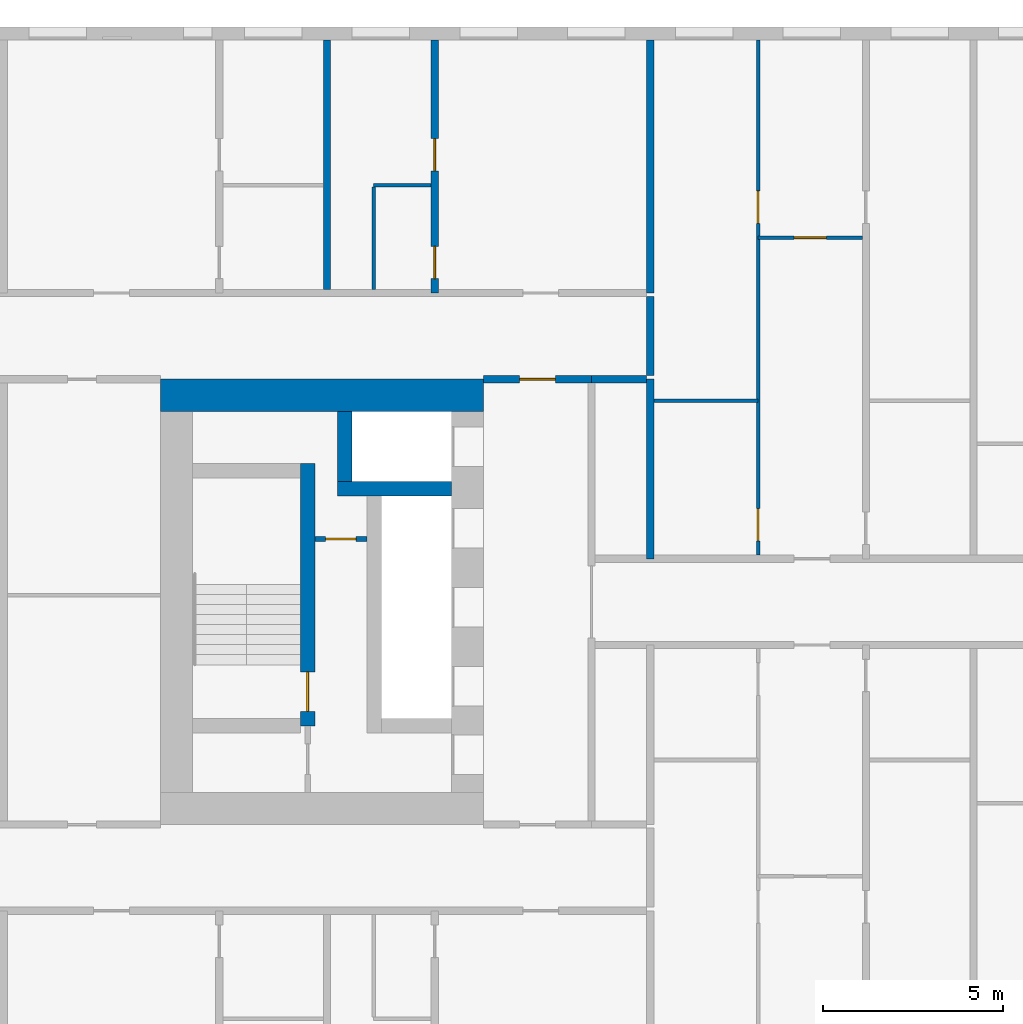
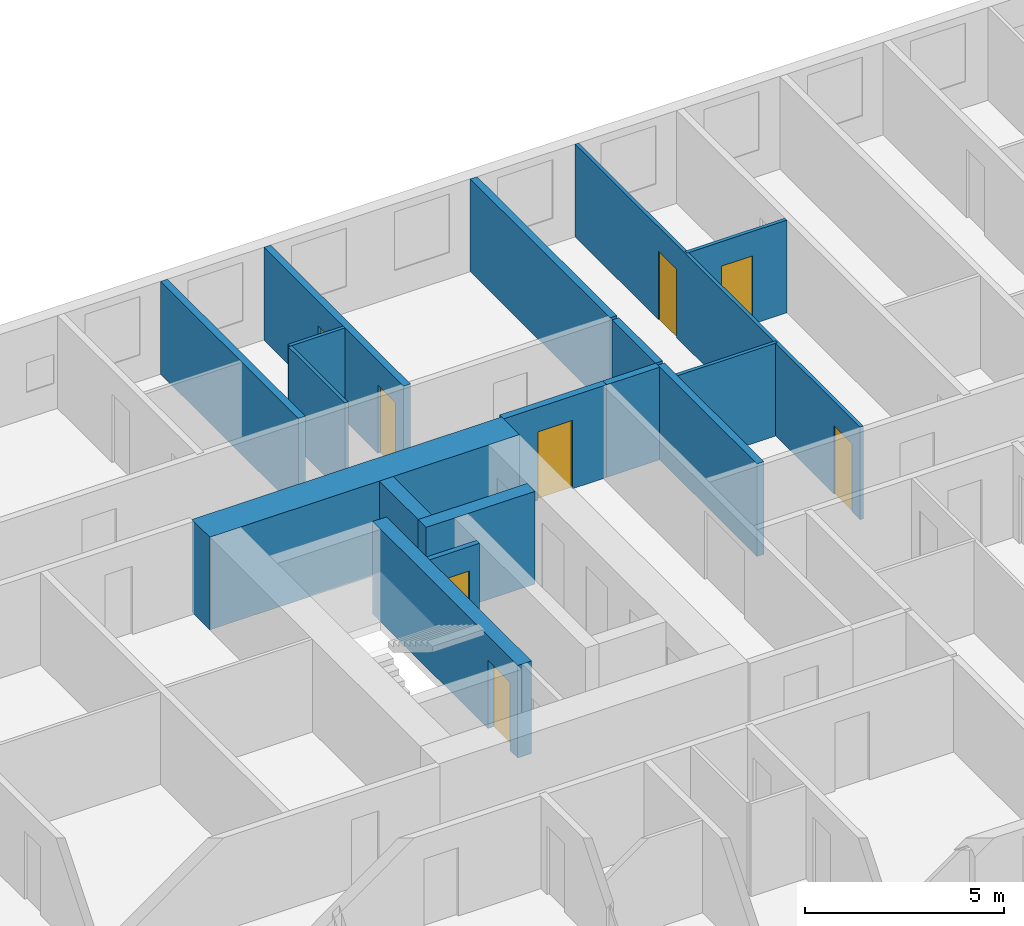
# One storey, part 5 of 17: 17 walls, 8 doors, 8 openings.
"""IFC4 building model written with IfcOpenShell, lengths in metres."""

from ifc_helpers import new_model, si_unit, direction, frame, frame_2d, origin, place, context, subcontext, project, spatial, rectangle, extrude, material, layer, layer_set, type_object, element, fill, save


model = new_model("IFC4")

# Units and contexts
model_context = context("Model", 3, precision=1e-05, world=origin(), true_north=direction((0.0, 1.0)))
body_context = subcontext(model_context, "Body", "Model", "MODEL_VIEW")
ifc_project = project(units=[si_unit("LENGTHUNIT", "METRE"), si_unit("AREAUNIT", "SQUARE_METRE"), si_unit("VOLUMEUNIT", "CUBIC_METRE"), si_unit("PLANEANGLEUNIT", "RADIAN"), si_unit("MASSUNIT", "GRAM", prefix="KILO")], contexts=[model_context])

# Site, building, storey
site_placement = place(None, origin())
site = spatial("IfcSite", under=ifc_project, at=site_placement, CompositionType="ELEMENT")
building_placement = place(site_placement, origin())
building = spatial("IfcBuilding", under=site, at=building_placement, Name="Tuart Gate Housing", CompositionType="ELEMENT")
storey_placement = place(building_placement, frame((0.0, 0.0, 25.699951171875)))
storey = spatial("IfcBuildingStorey", under=building, at=storey_placement, Name="L06", CompositionType="ELEMENT", Elevation=25.699951171875)

# Wall, opening, door
ifc_material_1 = material(Name="Plasterboard partition")
ifc_layer_1 = layer(ifc_material_1, 0.14990234375)
ifc_layer_set_1 = layer_set([ifc_layer_1], Name="Core partition 150")
wall_type_1 = type_object("IfcWallType", Name="Core partition 150", PredefinedType="PARTITIONING", material=ifc_layer_set_1)
wall_1_placement = place(storey_placement, frame((38.110107421875, 71.75, 0.0), z_axis=(0.0, 0.0, 1.0), x_axis=(-1.0, 0.0, 0.0)))
wall_1 = element("IfcWall", 1, at=wall_1_placement, inside=storey, type_object=wall_type_1, Name="Core partition AK.3", PredefinedType="PARTITIONING", context=body_context, shape_type="SweptSolid", body=[
    extrude(rectangle(XDim=1.4501953125, YDim=0.14990234375, at=frame_2d((0.72509765625, 0.0))), origin(), (0.0, 0.0, 1.0), 2.85009765625),
])
opening_1_placement = place(wall_1_placement, frame((0.300048828125, 0.0, 0.0)))
opening_1 = element("IfcOpeningElement", 2, at=opening_1_placement, cuts=wall_1, Name="Opening D369", PredefinedType="OPENING", context=body_context, shape_type="SweptSolid", body=[
    extrude(rectangle(XDim=0.85009765625, YDim=2.10009765625, at=frame_2d((0.425048828125, 1.050048828125))), frame((0.0, 0.0849609375, 0.0), z_axis=(0.0, -1.0, 0.0), x_axis=(1.0, 0.0, 0.0)), (0.0, 0.0, 1.0), 0.169921875),
])
ifc_material_2 = material(Name="Steel fire door", Category="steel")
door_type_1 = type_object("IfcDoorType", Name="Riser door 850 x 2100 RH", OperationType="SINGLE_SWING_RIGHT", PredefinedType="DOOR", material=ifc_material_2)
door_1_placement = place(opening_1_placement, frame((0.85009765625, 0.0, 0.0), z_axis=(0.0, 0.0, 1.0), x_axis=(-1.0, 0.0, 0.0)))
door_1 = element("IfcDoor", 3, at=door_1_placement, inside=storey, type_object=door_type_1, Name="Service room door AK.E1", OperationType="SINGLE_SWING_RIGHT", OverallHeight=2.10009765625, OverallWidth=0.85009765625, PredefinedType="DOOR", context=body_context, shape_type="SweptSolid", body=[
    extrude(rectangle(XDim=0.85009765625, YDim=2.10009765625, at=frame_2d((0.425048828125, 1.050048828125))), frame((0.0, 0.025146484375, 0.0), z_axis=(0.0, -1.0, 0.0), x_axis=(1.0, 0.0, 0.0)), (0.0, 0.0, 1.0), 0.050048828125),
])
fill(opening_1, door_1)

# Walls
ifc_material_3 = material(Name="Concrete C60", Category="concrete")
ifc_layer_2 = layer(ifc_material_3, 0.39990234375)
ifc_layer_set_2 = layer_set([ifc_layer_2], Name="Core wall 400 C60")
wall_type_2 = type_object("IfcWallType", Name="Core wall 400 C60", PredefinedType="SHEAR", material=ifc_layer_set_2)
wall_2_placement = place(storey_placement, frame((40.4599609375, 73.14990234375, 0.0), z_axis=(0.0, 0.0, 1.0), x_axis=(-1.0, 0.0, 0.0)))
element("IfcWall", 4, at=wall_2_placement, inside=storey, type_object=wall_type_2, Name="Core wall AK.2", PredefinedType="SHEAR", context=body_context, shape_type="SweptSolid", body=[
    extrude(rectangle(XDim=3.169921875, YDim=0.39990234375, at=frame_2d((1.5849609375, 0.0))), origin(), (0.0, 0.0, 1.0), 2.85009765625),
])
wall_3_placement = place(storey_placement, frame((37.489990234375, 75.300048828125, 0.0), z_axis=(0.0, 0.0, 1.0), x_axis=(0.0, -1.0, 0.0)))
element("IfcWall", 5, at=wall_3_placement, inside=storey, type_object=wall_type_2, Name="Core wall AK.7", PredefinedType="SHEAR", context=body_context, shape_type="SweptSolid", body=[
    extrude(rectangle(XDim=1.949951171875, YDim=0.39990234375, at=frame_2d((0.97509765625, 0.0))), origin(), (0.0, 0.0, 1.0), 2.85009765625),
])

# Wall, opening, door
wall_4_placement = place(storey_placement, frame((36.4599609375, 73.85009765625, 0.0), z_axis=(0.0, 0.0, 1.0), x_axis=(0.0, -1.0, 0.0)))
wall_4 = element("IfcWall", 6, at=wall_4_placement, inside=storey, type_object=wall_type_2, Name="Core wall AK.8", PredefinedType="SHEAR", context=body_context, shape_type="SweptSolid", body=[
    extrude(rectangle(XDim=7.300048828125, YDim=0.39990234375, at=frame_2d((3.64990234375, 0.0))), origin(), (0.0, 0.0, 1.0), 2.85009765625),
])
opening_2_placement = place(wall_4_placement, frame((5.800048828125, 0.0, 0.0)))
opening_2 = element("IfcOpeningElement", 7, at=opening_2_placement, cuts=wall_4, Name="Opening D372", PredefinedType="OPENING", context=body_context, shape_type="SweptSolid", body=[
    extrude(rectangle(XDim=1.10009765625, YDim=2.10009765625, at=frame_2d((0.550048828125, 1.050048828125))), frame((0.0, 0.2099609375, 0.0), z_axis=(0.0, -1.0, 0.0), x_axis=(1.0, 0.0, 0.0)), (0.0, 0.0, 1.0), 0.419921875),
])
ifc_material_4 = material(Name="Steel fire door", Category="steel")
door_type_2 = type_object("IfcDoorType", Name="Stair door 1100 x 2100", OperationType="SINGLE_SWING_LEFT", PredefinedType="DOOR", material=ifc_material_4)
door_2_placement = place(opening_2_placement, frame((1.10009765625, 0.0, 0.0), z_axis=(0.0, 0.0, 1.0), x_axis=(-1.0, 0.0, 0.0)))
door_2 = element("IfcDoor", 8, at=door_2_placement, inside=storey, type_object=door_type_2, Name="Stair door AK.SD", OperationType="SINGLE_SWING_LEFT", OverallHeight=2.10009765625, OverallWidth=1.10009765625, PredefinedType="DOOR", context=body_context, shape_type="SweptSolid", body=[
    extrude(rectangle(XDim=1.10009765625, YDim=2.10009765625, at=frame_2d((0.550048828125, 1.050048828125))), frame((0.0, 0.025146484375, 0.0), z_axis=(0.0, -1.0, 0.0), x_axis=(1.0, 0.0, 0.0)), (0.0, 0.0, 1.0), 0.050048828125),
])
fill(opening_2, door_2)

# Walls
ifc_material_5 = material(Name="Concrete C60", Category="concrete")
ifc_layer_3 = layer(ifc_material_5, 0.89990234375)
ifc_layer_set_3 = layer_set([ifc_layer_3], Name="Core wall 900 C60")
wall_type_3 = type_object("IfcWallType", Name="Core wall 900 C60", PredefinedType="SHEAR", material=ifc_layer_set_3)
wall_5_placement = place(storey_placement, frame((41.360107421875, 75.75, 0.0), z_axis=(0.0, 0.0, 1.0), x_axis=(-1.0, 0.0, 0.0)))
element("IfcWall", 9, at=wall_5_placement, inside=storey, type_object=wall_type_3, Name="Core wall AK south", PredefinedType="SHEAR", context=body_context, shape_type="SweptSolid", body=[
    extrude(rectangle(XDim=9.0, YDim=0.89990234375, at=frame_2d((4.5, 0.0))), origin(), (0.0, 0.0, 1.0), 2.85009765625),
])
ifc_material_6 = material(Name="Concrete masonry 15 MPa", Category="masonry")
ifc_layer_4 = layer(ifc_material_6, 0.199951171875)
ifc_layer_set_4 = layer_set([ifc_layer_4], Name="Corridor wall masonry 200")
wall_type_4 = type_object("IfcWallType", Name="Corridor wall masonry 200", PredefinedType="PARTITIONING", material=ifc_layer_set_4)
wall_6_placement = place(storey_placement, frame((44.360107421875, 76.199951171875, 0.0), z_axis=(0.0, 0.0, 1.0), x_axis=(1.0, 0.0, 0.0)))
element("IfcWall", 10, at=wall_6_placement, inside=storey, type_object=wall_type_4, Name="Corridor wall masonry 200", PredefinedType="PARTITIONING", context=body_context, shape_type="SweptSolid", body=[
    extrude(rectangle(XDim=1.539794921875, YDim=0.199951171875, at=frame_2d((0.77001953125, 0.0))), origin(), (0.0, 0.0, 1.0), 2.85009765625),
])
wall_7_placement = place(storey_placement, frame((46.0, 76.300048828125, 0.0), z_axis=(0.0, 0.0, 1.0), x_axis=(0.0, 1.0, 0.0)))
element("IfcWall", 11, at=wall_7_placement, inside=storey, type_object=wall_type_4, Name="Corridor wall masonry 200", PredefinedType="PARTITIONING", context=body_context, shape_type="SweptSolid", body=[
    extrude(rectangle(XDim=2.199951171875, YDim=0.199951171875, at=frame_2d((1.10009765625, 0.0))), origin(), (0.0, 0.0, 1.0), 2.85009765625),
])

# Wall, opening, door
ifc_material_7 = material(Name="Concrete masonry 15 MPa", Category="masonry")
ifc_layer_5 = layer(ifc_material_7, 0.199951171875)
ifc_layer_set_5 = layer_set([ifc_layer_5], Name="Enclosure wall masonry 200")
wall_type_5 = type_object("IfcWallType", Name="Enclosure wall masonry 200", PredefinedType="PARTITIONING", material=ifc_layer_set_5)
wall_8_placement = place(storey_placement, frame((41.360107421875, 76.199951171875, 0.0), z_axis=(0.0, 0.0, 1.0), x_axis=(1.0, 0.0, 0.0)))
wall_8 = element("IfcWall", 12, at=wall_8_placement, inside=storey, type_object=wall_type_5, Name="Enclosure wall masonry 200", PredefinedType="PARTITIONING", context=body_context, shape_type="SweptSolid", body=[
    extrude(rectangle(XDim=3.0, YDim=0.199951171875, at=frame_2d((1.5, 0.0))), origin(), (0.0, 0.0, 1.0), 2.85009765625),
])
opening_3_placement = place(wall_8_placement, frame((1.0, 0.0, 0.0)))
opening_3 = element("IfcOpeningElement", 13, at=opening_3_placement, cuts=wall_8, Name="Opening D366", PredefinedType="OPENING", context=body_context, shape_type="SweptSolid", body=[
    extrude(rectangle(XDim=1.0, YDim=2.10009765625, at=frame_2d((0.5, 1.050048828125))), frame((0.0, 0.10986328125, 0.0), z_axis=(0.0, -1.0, 0.0), x_axis=(1.0, 0.0, 0.0)), (0.0, 0.0, 1.0), 0.219970703125),
])
ifc_material_8 = material(Name="Timber door leaf in steel frame", Category="steel")
door_type_3 = type_object("IfcDoorType", Name="Fire door 1000 RH", OperationType="SINGLE_SWING_RIGHT", PredefinedType="DOOR", material=ifc_material_8)
door_3_placement = place(opening_3_placement, origin())
door_3 = element("IfcDoor", 14, at=door_3_placement, inside=storey, type_object=door_type_3, Name="Fire door", OperationType="SINGLE_SWING_RIGHT", OverallHeight=2.10009765625, OverallWidth=1.0, PredefinedType="DOOR", context=body_context, shape_type="SweptSolid", body=[
    extrude(rectangle(XDim=1.0, YDim=2.10009765625, at=frame_2d((0.5, 1.050048828125))), frame((0.0, 0.02490234375, 0.0), z_axis=(0.0, -1.0, 0.0), x_axis=(1.0, 0.0, 0.0)), (0.0, 0.0, 1.0), 0.050048828125),
])
fill(opening_3, door_3)

# Wall
ifc_material_9 = material(Name="Gypsum board on steel studs", Category="steel")
ifc_layer_6 = layer(ifc_material_9, 0.10009765625)
ifc_layer_set_6 = layer_set([ifc_layer_6], Name="Partition 100")
wall_type_6 = type_object("IfcWallType", Name="Partition 100", PredefinedType="PARTITIONING", material=ifc_layer_set_6)
wall_9_placement = place(storey_placement, frame((46.10009765625, 75.60009765625, 0.0), z_axis=(0.0, 0.0, 1.0), x_axis=(1.0, 0.0, 0.0)))
element("IfcWall", 15, at=wall_9_placement, inside=storey, type_object=wall_type_6, Name="Partition 100", PredefinedType="PARTITIONING", context=body_context, shape_type="SweptSolid", body=[
    extrude(rectangle(XDim=2.89990234375, YDim=0.10009765625, at=frame_2d((1.449951171875, 0.0))), origin(), (0.0, 0.0, 1.0), 2.85009765625),
])

# Wall, opening, door
wall_10_placement = place(storey_placement, frame((49.0, 80.139892578125, 0.0), z_axis=(0.0, 0.0, 1.0), x_axis=(1.0, 0.0, 0.0)))
wall_10 = element("IfcWall", 16, at=wall_10_placement, inside=storey, type_object=wall_type_6, Name="Partition 100", PredefinedType="PARTITIONING", context=body_context, shape_type="SweptSolid", body=[
    extrude(rectangle(XDim=2.89990234375, YDim=0.10009765625, at=frame_2d((1.449951171875, 0.0))), origin(), (0.0, 0.0, 1.0), 2.85009765625),
])
opening_4_placement = place(wall_10_placement, frame((1.0, 0.0, 0.0)))
opening_4 = element("IfcOpeningElement", 17, at=opening_4_placement, cuts=wall_10, Name="Opening D349", PredefinedType="OPENING", context=body_context, shape_type="SweptSolid", body=[
    extrude(rectangle(XDim=0.89990234375, YDim=2.10009765625, at=frame_2d((0.449951171875, 1.050048828125))), frame((0.0, 0.06005859375, 0.0), z_axis=(0.0, -1.0, 0.0), x_axis=(1.0, 0.0, 0.0)), (0.0, 0.0, 1.0), 0.1201171875),
])
ifc_material_10 = material(Name="Timber door leaf in steel frame", Category="steel")
door_type_4 = type_object("IfcDoorType", Name="Internal door 900 RH", OperationType="SINGLE_SWING_RIGHT", PredefinedType="DOOR", material=ifc_material_10)
door_4_placement = place(opening_4_placement, frame((0.89990234375, 0.0, 0.0), z_axis=(0.0, 0.0, 1.0), x_axis=(-1.0, 0.0, 0.0)))
door_4 = element("IfcDoor", 18, at=door_4_placement, inside=storey, type_object=door_type_4, Name="Internal door", OperationType="SINGLE_SWING_RIGHT", OverallHeight=2.10009765625, OverallWidth=0.89990234375, PredefinedType="DOOR", context=body_context, shape_type="SweptSolid", body=[
    extrude(rectangle(XDim=0.89990234375, YDim=2.10009765625, at=frame_2d((0.449951171875, 1.050048828125))), frame((0.0, 0.025146484375, 0.0), z_axis=(0.0, -1.0, 0.0), x_axis=(1.0, 0.0, 0.0)), (0.0, 0.0, 1.0), 0.050048828125),
])
fill(opening_4, door_4)

# Walls
wall_11_placement = place(storey_placement, frame((38.300048828125, 81.60009765625, 0.0), z_axis=(0.0, 0.0, 1.0), x_axis=(1.0, 0.0, 0.0)))
element("IfcWall", 19, at=wall_11_placement, inside=storey, type_object=wall_type_6, Name="Partition 100", PredefinedType="PARTITIONING", context=body_context, shape_type="SweptSolid", body=[
    extrude(rectangle(XDim=1.599853515625, YDim=0.10009765625, at=frame_2d((0.7998046875, 0.0))), origin(), (0.0, 0.0, 1.0), 2.85009765625),
])
wall_12_placement = place(storey_placement, frame((38.300048828125, 78.699951171875, 0.0), z_axis=(0.0, 0.0, 1.0), x_axis=(0.0, 1.0, 0.0)))
element("IfcWall", 20, at=wall_12_placement, inside=storey, type_object=wall_type_6, Name="Partition 100", PredefinedType="PARTITIONING", context=body_context, shape_type="SweptSolid", body=[
    extrude(rectangle(XDim=2.85009765625, YDim=0.10009765625, at=frame_2d((1.425048828125, 0.0))), origin(), (0.0, 0.0, 1.0), 2.85009765625),
])

# Wall, openings, doors
wall_13_placement = place(storey_placement, frame((49.0, 71.300048828125, 0.0), z_axis=(0.0, 0.0, 1.0), x_axis=(0.0, 1.0, 0.0)))
wall_13 = element("IfcWall", 21, at=wall_13_placement, inside=storey, type_object=wall_type_6, Name="Partition 100", PredefinedType="PARTITIONING", context=body_context, shape_type="SweptSolid", body=[
    extrude(rectangle(XDim=14.33984375, YDim=0.10009765625, at=frame_2d((7.169921875, 0.0))), origin(), (0.0, 0.0, 1.0), 2.85009765625),
])
opening_5_placement = place(wall_13_placement, frame((9.239990234375, 0.0, 0.0)))
opening_5 = element("IfcOpeningElement", 22, at=opening_5_placement, cuts=wall_13, Name="Opening D358", PredefinedType="OPENING", context=body_context, shape_type="SweptSolid", body=[
    extrude(rectangle(XDim=0.89990234375, YDim=2.10009765625, at=frame_2d((0.449951171875, 1.050048828125))), frame((0.0, 0.06005859375, 0.0), z_axis=(0.0, -1.0, 0.0), x_axis=(1.0, 0.0, 0.0)), (0.0, 0.0, 1.0), 0.1201171875),
])
opening_6_placement = place(wall_13_placement, frame((0.39990234375, 0.0, 0.0)))
opening_6 = element("IfcOpeningElement", 23, at=opening_6_placement, cuts=wall_13, Name="Opening D357", PredefinedType="OPENING", context=body_context, shape_type="SweptSolid", body=[
    extrude(rectangle(XDim=0.89990234375, YDim=2.10009765625, at=frame_2d((0.449951171875, 1.050048828125))), frame((0.0, 0.06005859375, 0.0), z_axis=(0.0, -1.0, 0.0), x_axis=(1.0, 0.0, 0.0)), (0.0, 0.0, 1.0), 0.1201171875),
])
ifc_material_11 = material(Name="Timber door leaf in steel frame", Category="steel")
door_type_5 = type_object("IfcDoorType", Name="Bathroom door 900", OperationType="SINGLE_SWING_LEFT", PredefinedType="DOOR", material=ifc_material_11)
door_5_placement = place(opening_6_placement, origin())
door_5 = element("IfcDoor", 24, at=door_5_placement, inside=storey, type_object=door_type_5, Name="Bathroom door", OperationType="SINGLE_SWING_LEFT", OverallHeight=2.10009765625, OverallWidth=0.89990234375, PredefinedType="DOOR", context=body_context, shape_type="SweptSolid", body=[
    extrude(rectangle(XDim=0.89990234375, YDim=2.10009765625, at=frame_2d((0.449951171875, 1.050048828125))), frame((0.0, 0.02490234375, 0.0), z_axis=(0.0, -1.0, 0.0), x_axis=(1.0, 0.0, 0.0)), (0.0, 0.0, 1.0), 0.050048828125),
])
fill(opening_6, door_5)
door_6_placement = place(opening_5_placement, origin())
door_6 = element("IfcDoor", 25, at=door_6_placement, inside=storey, type_object=door_type_4, Name="Internal door", OperationType="SINGLE_SWING_RIGHT", OverallHeight=2.10009765625, OverallWidth=0.89990234375, PredefinedType="DOOR", context=body_context, shape_type="SweptSolid", body=[
    extrude(rectangle(XDim=0.89990234375, YDim=2.10009765625, at=frame_2d((0.449951171875, 1.050048828125))), frame((0.0, 0.02490234375, 0.0), z_axis=(0.0, -1.0, 0.0), x_axis=(1.0, 0.0, 0.0)), (0.0, 0.0, 1.0), 0.050048828125),
])
fill(opening_5, door_6)

ifc_material_12 = material(Name="Concrete C40", Category="concrete")
ifc_layer_7 = layer(ifc_material_12, 0.199951171875)
ifc_layer_set_7 = layer_set([ifc_layer_7], Name="Party wall concrete C40 200")
wall_type_7 = type_object("IfcWallType", Name="Party wall concrete C40 200", PredefinedType="SOLIDWALL", material=ifc_layer_set_7)
wall_14_placement = place(storey_placement, frame((40.0, 78.60009765625, 0.0), z_axis=(0.0, 0.0, 1.0), x_axis=(0.0, 1.0, 0.0)))
wall_14 = element("IfcWall", 26, at=wall_14_placement, inside=storey, type_object=wall_type_7, Name="Party wall concrete C40 200", PredefinedType="SOLIDWALL", context=body_context, shape_type="SweptSolid", body=[
    extrude(rectangle(XDim=7.039794921875, YDim=0.199951171875, at=frame_2d((3.52001953125, 0.0))), origin(), (0.0, 0.0, 1.0), 2.85009765625),
])
opening_7_placement = place(wall_14_placement, frame((3.39990234375, 0.0, 0.0)))
opening_7 = element("IfcOpeningElement", 27, at=opening_7_placement, cuts=wall_14, Name="Opening D346", PredefinedType="OPENING", context=body_context, shape_type="SweptSolid", body=[
    extrude(rectangle(XDim=0.89990234375, YDim=2.10009765625, at=frame_2d((0.449951171875, 1.050048828125))), frame((0.0, 0.10986328125, 0.0), z_axis=(0.0, -1.0, 0.0), x_axis=(1.0, 0.0, 0.0)), (0.0, 0.0, 1.0), 0.219970703125),
])
opening_8_placement = place(wall_14_placement, frame((0.39990234375, 0.0, 0.0)))
opening_8 = element("IfcOpeningElement", 28, at=opening_8_placement, cuts=wall_14, Name="Opening D345", PredefinedType="OPENING", context=body_context, shape_type="SweptSolid", body=[
    extrude(rectangle(XDim=0.89990234375, YDim=2.10009765625, at=frame_2d((0.449951171875, 1.050048828125))), frame((0.0, 0.10986328125, 0.0), z_axis=(0.0, -1.0, 0.0), x_axis=(1.0, 0.0, 0.0)), (0.0, 0.0, 1.0), 0.219970703125),
])
door_7_placement = place(opening_8_placement, origin())
door_7 = element("IfcDoor", 29, at=door_7_placement, inside=storey, type_object=door_type_5, Name="Bathroom door", OperationType="SINGLE_SWING_LEFT", OverallHeight=2.10009765625, OverallWidth=0.89990234375, PredefinedType="DOOR", context=body_context, shape_type="SweptSolid", body=[
    extrude(rectangle(XDim=0.89990234375, YDim=2.10009765625, at=frame_2d((0.449951171875, 1.050048828125))), frame((0.0, 0.02490234375, 0.0), z_axis=(0.0, -1.0, 0.0), x_axis=(1.0, 0.0, 0.0)), (0.0, 0.0, 1.0), 0.050048828125),
])
fill(opening_8, door_7)
ifc_material_13 = material(Name="Timber door leaf in steel frame", Category="steel")
door_type_6 = type_object("IfcDoorType", Name="Internal door 900", OperationType="SINGLE_SWING_LEFT", PredefinedType="DOOR", material=ifc_material_13)
door_8_placement = place(opening_7_placement, origin())
door_8 = element("IfcDoor", 30, at=door_8_placement, inside=storey, type_object=door_type_6, Name="Internal door", OperationType="SINGLE_SWING_LEFT", OverallHeight=2.10009765625, OverallWidth=0.89990234375, PredefinedType="DOOR", context=body_context, shape_type="SweptSolid", body=[
    extrude(rectangle(XDim=0.89990234375, YDim=2.10009765625, at=frame_2d((0.449951171875, 1.050048828125))), frame((0.0, 0.02490234375, 0.0), z_axis=(0.0, -1.0, 0.0), x_axis=(1.0, 0.0, 0.0)), (0.0, 0.0, 1.0), 0.050048828125),
])
fill(opening_7, door_8)

# Walls
wall_15_placement = place(storey_placement, frame((46.0, 71.199951171875, 0.0), z_axis=(0.0, 0.0, 1.0), x_axis=(0.0, 1.0, 0.0)))
element("IfcWall", 31, at=wall_15_placement, inside=storey, type_object=wall_type_7, Name="Party wall concrete C40 200", PredefinedType="SOLIDWALL", context=body_context, shape_type="SweptSolid", body=[
    extrude(rectangle(XDim=5.0, YDim=0.199951171875, at=frame_2d((2.5, 0.0))), origin(), (0.0, 0.0, 1.0), 2.85009765625),
])
wall_16_placement = place(storey_placement, frame((46.0, 78.60009765625, 0.0), z_axis=(0.0, 0.0, 1.0), x_axis=(0.0, 1.0, 0.0)))
element("IfcWall", 32, at=wall_16_placement, inside=storey, type_object=wall_type_7, Name="Party wall concrete C40 200", PredefinedType="SOLIDWALL", context=body_context, shape_type="SweptSolid", body=[
    extrude(rectangle(XDim=7.039794921875, YDim=0.199951171875, at=frame_2d((3.52001953125, 0.0))), origin(), (0.0, 0.0, 1.0), 2.85009765625),
])
ifc_material_14 = material(Name="Concrete masonry 15 MPa", Category="masonry")
ifc_layer_8 = layer(ifc_material_14, 0.199951171875)
ifc_layer_set_8 = layer_set([ifc_layer_8], Name="Party wall masonry 200")
wall_type_8 = type_object("IfcWallType", Name="Party wall masonry 200", PredefinedType="PARTITIONING", material=ifc_layer_set_8)
wall_17_placement = place(storey_placement, frame((37.0, 78.699951171875, 0.0), z_axis=(0.0, 0.0, 1.0), x_axis=(0.0, 1.0, 0.0)))
element("IfcWall", 33, at=wall_17_placement, inside=storey, type_object=wall_type_8, Name="Party wall masonry 200", PredefinedType="PARTITIONING", context=body_context, shape_type="SweptSolid", body=[
    extrude(rectangle(XDim=6.93994140625, YDim=0.199951171875, at=frame_2d((3.469970703125, 0.0))), origin(), (0.0, 0.0, 1.0), 2.85009765625),
])

save(model, "model.ifc")
